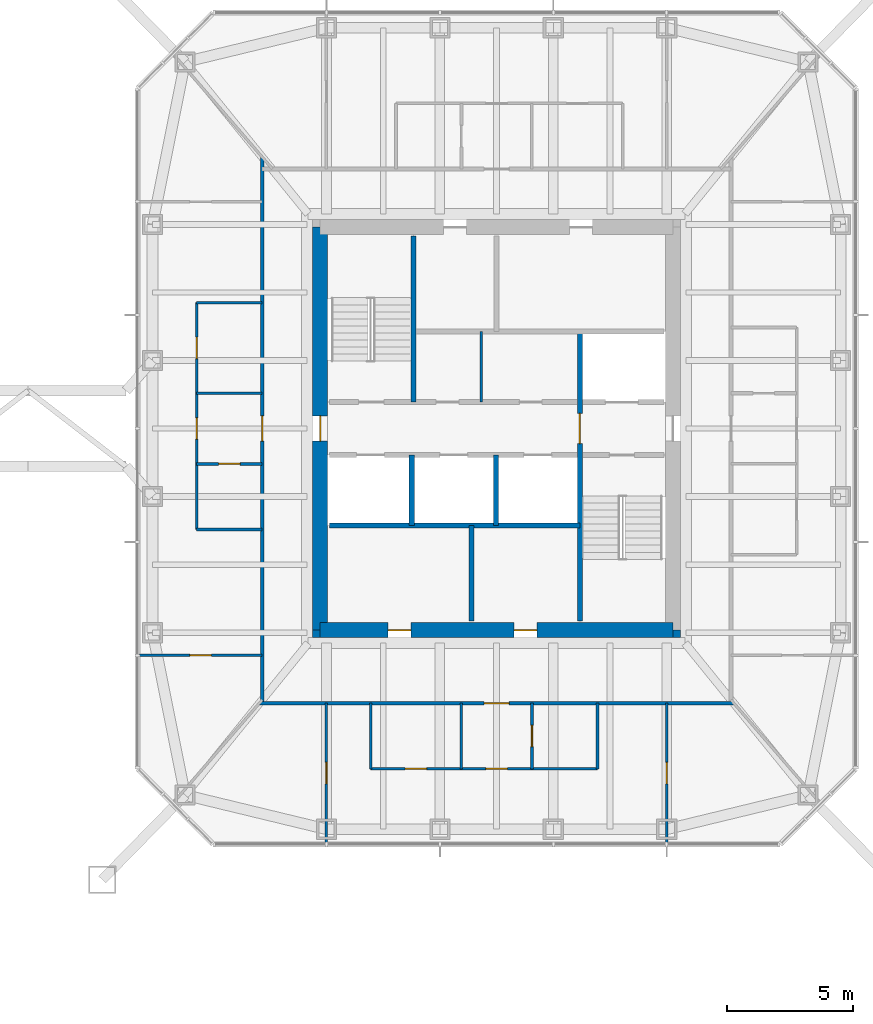
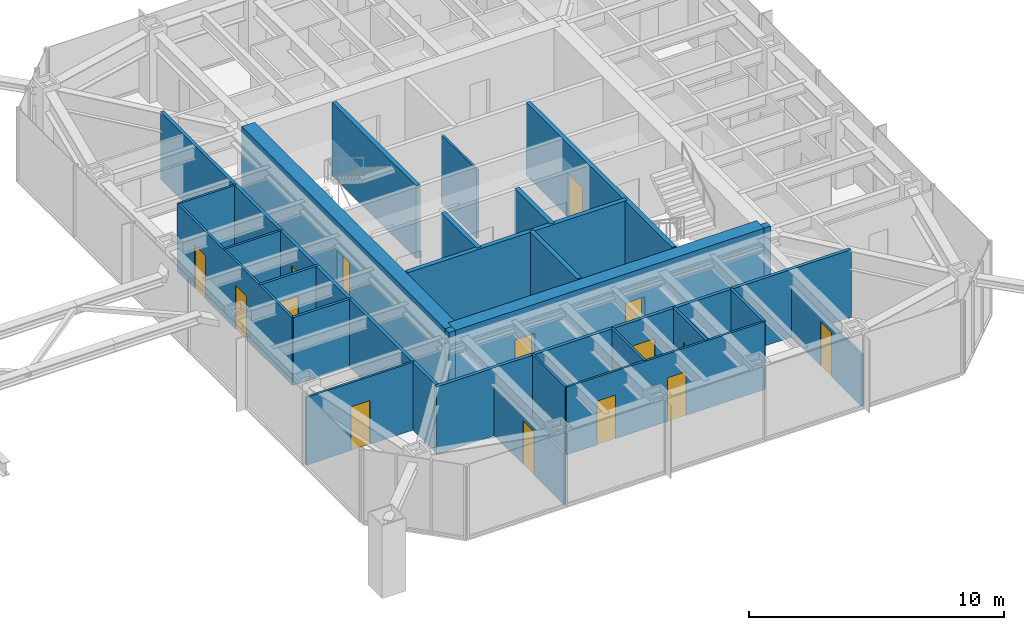
# One storey, part 18 of 26: 26 walls, 15 doors, 15 openings.
"""IFC4 building model written with IfcOpenShell, lengths in metres."""

from ifc_helpers import new_model, si_unit, direction, frame, frame_2d, origin, place, context, subcontext, project, spatial, rectangle, extrude, material, layer, layer_set, type_object, element, fill, save


model = new_model("IFC4")

# Units and contexts
model_context = context("Model", 3, precision=1e-05, world=origin(), true_north=direction((0.0, 1.0)))
body_context = subcontext(model_context, "Body", "Model", "MODEL_VIEW")
ifc_project = project(units=[si_unit("LENGTHUNIT", "METRE"), si_unit("AREAUNIT", "SQUARE_METRE"), si_unit("VOLUMEUNIT", "CUBIC_METRE"), si_unit("PLANEANGLEUNIT", "RADIAN"), si_unit("MASSUNIT", "GRAM", prefix="KILO")], contexts=[model_context])

# Site, building, storey
site_placement = place(None, origin())
site = spatial("IfcSite", under=ifc_project, at=site_placement, CompositionType="ELEMENT")
building_placement = place(site_placement, origin())
building = spatial("IfcBuilding", under=site, at=building_placement, Name="Iwan Alto Co-Living Towers", CompositionType="ELEMENT")
storey_placement = place(building_placement, frame((0.0, 0.0, 126.0)))
storey = spatial("IfcBuildingStorey", under=building, at=storey_placement, Name="L34", CompositionType="ELEMENT", Elevation=126.0)

# Wall, opening, door
ifc_material_1 = material(Name="Gypsum board")
ifc_layer_1 = layer(ifc_material_1, 0.02490234375, Name="Board", Category="Finish")
ifc_material_2 = material(Name="Steel ASTM A1003 ST33H cold-formed studs", Category="steel")
ifc_layer_2 = layer(ifc_material_2, 0.10009765625, Name="Studs", Category="Framing")
ifc_layer_3 = layer(ifc_material_1, 0.02490234375, Name="Board", Category="Finish")
ifc_layer_set_1 = layer_set([ifc_layer_1, ifc_layer_2, ifc_layer_3], Name="CORRIDOR WALL 150")
wall_type_1 = type_object("IfcWallType", Name="CORRIDOR WALL 150", PredefinedType="PARTITIONING", material=ifc_layer_set_1)
wall_1_placement = place(storey_placement, frame((53.5859375, -10.89990234375, 0.0), z_axis=(0.0, 0.0, 1.0), x_axis=(1.0, 0.0, 0.0)))
wall_1 = element("IfcWall", 1, at=wall_1_placement, inside=storey, type_object=wall_type_1, Name="Partition L34", PredefinedType="PARTITIONING", context=body_context, shape_type="SweptSolid", body=[
    extrude(rectangle(XDim=18.828125, YDim=0.14990234375, at=frame_2d((9.4140625, 0.0))), origin(), (0.0, 0.0, 1.0), 3.25),
])
opening_1_placement = place(wall_1_placement, frame((8.9140625, 0.0, 0.0)))
opening_1 = element("IfcOpeningElement", 2, at=opening_1_placement, cuts=wall_1, Name="Opening D3", PredefinedType="OPENING", context=body_context, shape_type="SweptSolid", body=[
    extrude(rectangle(XDim=1.0, YDim=2.10009765625, at=frame_2d((0.5, 1.050048828125))), frame((0.0, 0.0849609375, 0.0), z_axis=(0.0, -1.0, 0.0), x_axis=(1.0, 0.0, 0.0)), (0.0, 0.0, 1.0), 0.169921875),
])
ifc_material_3 = material(Name="Steel frame with timber leaf", Category="steel")
door_type_1 = type_object("IfcDoorType", Name="FLAT ENTRANCE DOOR FD30S 1000X2100", OperationType="SINGLE_SWING_LEFT", PredefinedType="DOOR", material=ifc_material_3)
door_1_placement = place(opening_1_placement, frame((1.0, 0.0, 0.0), z_axis=(0.0, 0.0, 1.0), x_axis=(-1.0, 0.0, 0.0)))
door_1 = element("IfcDoor", 3, at=door_1_placement, inside=storey, type_object=door_type_1, Name="Apartment foyer door L34", OperationType="SINGLE_SWING_RIGHT", OverallHeight=2.10009765625, OverallWidth=1.0, PredefinedType="DOOR", context=body_context, shape_type="SweptSolid", body=[
    extrude(rectangle(XDim=1.0, YDim=2.10009765625, at=frame_2d((0.5, 1.050048828125))), frame((0.0, 0.02490234375, 0.0), z_axis=(0.0, -1.0, 0.0), x_axis=(1.0, 0.0, 0.0)), (0.0, 0.0, 1.0), 0.050048828125),
])
fill(opening_1, door_1)

wall_2_placement = place(storey_placement, frame((53.699951171875, -10.89990234375, 0.0), z_axis=(0.0, 0.0, 1.0), x_axis=(0.0, 1.0, 0.0)))
wall_2 = element("IfcWall", 4, at=wall_2_placement, inside=storey, type_object=wall_type_1, Name="Partition L34", PredefinedType="PARTITIONING", context=body_context, shape_type="SweptSolid", body=[
    extrude(rectangle(XDim=21.66796875, YDim=0.14990234375, at=frame_2d((10.833984375, 0.0))), origin(), (0.0, 0.0, 1.0), 3.25),
])
opening_2_placement = place(wall_2_placement, frame((10.39990234375, 0.0, 0.0)))
opening_2 = element("IfcOpeningElement", 5, at=opening_2_placement, cuts=wall_2, Name="Opening D3", PredefinedType="OPENING", context=body_context, shape_type="SweptSolid", body=[
    extrude(rectangle(XDim=1.0, YDim=2.10009765625, at=frame_2d((0.5, 1.050048828125))), frame((0.0, 0.0849609375, 0.0), z_axis=(0.0, -1.0, 0.0), x_axis=(1.0, 0.0, 0.0)), (0.0, 0.0, 1.0), 0.169921875),
])
door_2_placement = place(opening_2_placement, origin())
door_2 = element("IfcDoor", 6, at=door_2_placement, inside=storey, type_object=door_type_1, Name="Apartment foyer door L34", OperationType="SINGLE_SWING_LEFT", OverallHeight=2.10009765625, OverallWidth=1.0, PredefinedType="DOOR", context=body_context, shape_type="SweptSolid", body=[
    extrude(rectangle(XDim=1.0, YDim=2.10009765625, at=frame_2d((0.5, 1.050048828125))), frame((0.0, 0.02490234375, 0.0), z_axis=(0.0, -1.0, 0.0), x_axis=(1.0, 0.0, 0.0)), (0.0, 0.0, 1.0), 0.050048828125),
])
fill(opening_2, door_2)

# Wall, openings, doors
ifc_layer_4 = layer(ifc_material_1, 0.012451171875, Name="Board", Category="Finish")
ifc_layer_5 = layer(ifc_material_2, 0.074951171875, Name="Studs", Category="Framing")
ifc_layer_6 = layer(ifc_material_1, 0.012451171875, Name="Board", Category="Finish")
ifc_layer_set_2 = layer_set([ifc_layer_4, ifc_layer_5, ifc_layer_6], Name="PARTITION 100")
wall_type_2 = type_object("IfcWallType", Name="PARTITION 100", PredefinedType="PARTITIONING", material=ifc_layer_set_2)
wall_3_placement = place(storey_placement, frame((58.0, -13.5, 0.0), z_axis=(0.0, 0.0, 1.0), x_axis=(1.0, 0.0, 0.0)))
wall_3 = element("IfcWall", 7, at=wall_3_placement, inside=storey, type_object=wall_type_2, Name="Partition L34", PredefinedType="PARTITIONING", context=body_context, shape_type="SweptSolid", body=[
    extrude(rectangle(XDim=9.0, YDim=0.10009765625, at=frame_2d((4.5, 0.0))), origin(), (0.0, 0.0, 1.0), 3.25),
])
opening_3_placement = place(wall_3_placement, frame((1.375, 0.0, 0.0)))
opening_3 = element("IfcOpeningElement", 8, at=opening_3_placement, cuts=wall_3, Name="Opening D2", PredefinedType="OPENING", context=body_context, shape_type="SweptSolid", body=[
    extrude(rectangle(XDim=0.85009765625, YDim=2.10009765625, at=frame_2d((0.425048828125, 1.050048828125))), frame((0.0, 0.06005859375, 0.0), z_axis=(0.0, -1.0, 0.0), x_axis=(1.0, 0.0, 0.0)), (0.0, 0.0, 1.0), 0.1201171875),
])
opening_4_placement = place(wall_3_placement, frame((4.574951171875, 0.0, 0.0)))
opening_4 = element("IfcOpeningElement", 9, at=opening_4_placement, cuts=wall_3, Name="Opening D2", PredefinedType="OPENING", context=body_context, shape_type="SweptSolid", body=[
    extrude(rectangle(XDim=0.85009765625, YDim=2.10009765625, at=frame_2d((0.425048828125, 1.050048828125))), frame((0.0, 0.06005859375, 0.0), z_axis=(0.0, -1.0, 0.0), x_axis=(1.0, 0.0, 0.0)), (0.0, 0.0, 1.0), 0.1201171875),
])
ifc_material_4 = material(Name="Timber leaf in steel frame", Category="steel")
door_type_2 = type_object("IfcDoorType", Name="ROOM DOOR 850X2100", OperationType="SINGLE_SWING_LEFT", PredefinedType="DOOR", material=ifc_material_4)
door_3_placement = place(opening_3_placement, frame((0.85009765625, 0.0, 0.0), z_axis=(0.0, 0.0, 1.0), x_axis=(-1.0, 0.0, 0.0)))
door_3 = element("IfcDoor", 10, at=door_3_placement, inside=storey, type_object=door_type_2, Name="Kitchen door L34", OperationType="SINGLE_SWING_RIGHT", OverallHeight=2.10009765625, OverallWidth=0.85009765625, PredefinedType="DOOR", context=body_context, shape_type="SweptSolid", body=[
    extrude(rectangle(XDim=0.85009765625, YDim=2.10009765625, at=frame_2d((0.425048828125, 1.050048828125))), frame((0.0, 0.02490234375, 0.0), z_axis=(0.0, -1.0, 0.0), x_axis=(1.0, 0.0, 0.0)), (0.0, 0.0, 1.0), 0.050048828125),
])
fill(opening_3, door_3)
door_4_placement = place(opening_4_placement, frame((0.85009765625, 0.0, 0.0), z_axis=(0.0, 0.0, 1.0), x_axis=(-1.0, 0.0, 0.0)))
door_4 = element("IfcDoor", 11, at=door_4_placement, inside=storey, type_object=door_type_2, Name="Apartment foyer door L34", OperationType="SINGLE_SWING_RIGHT", OverallHeight=2.10009765625, OverallWidth=0.85009765625, PredefinedType="DOOR", context=body_context, shape_type="SweptSolid", body=[
    extrude(rectangle(XDim=0.85009765625, YDim=2.10009765625, at=frame_2d((0.425048828125, 1.050048828125))), frame((0.0, 0.02490234375, 0.0), z_axis=(0.0, -1.0, 0.0), x_axis=(1.0, 0.0, 0.0)), (0.0, 0.0, 1.0), 0.050048828125),
])
fill(opening_4, door_4)

# Wall, opening, door
wall_4_placement = place(storey_placement, frame((48.81005859375, -9.0, 0.0), z_axis=(0.0, 0.0, 1.0), x_axis=(1.0, 0.0, 0.0)))
wall_4 = element("IfcWall", 12, at=wall_4_placement, inside=storey, type_object=wall_type_2, Name="Partition L34", PredefinedType="PARTITIONING", context=body_context, shape_type="SweptSolid", body=[
    extrude(rectangle(XDim=4.889892578125, YDim=0.10009765625, at=frame_2d((2.44482421875, 0.0))), origin(), (0.0, 0.0, 1.0), 3.25),
])
opening_5_placement = place(wall_4_placement, frame((2.02001953125, 0.0, 0.0)))
opening_5 = element("IfcOpeningElement", 13, at=opening_5_placement, cuts=wall_4, Name="Opening D2", PredefinedType="OPENING", context=body_context, shape_type="SweptSolid", body=[
    extrude(rectangle(XDim=0.85009765625, YDim=2.10009765625, at=frame_2d((0.425048828125, 1.050048828125))), frame((0.0, 0.06005859375, 0.0), z_axis=(0.0, -1.0, 0.0), x_axis=(1.0, 0.0, 0.0)), (0.0, 0.0, 1.0), 0.1201171875),
])
door_5_placement = place(opening_5_placement, origin())
door_5 = element("IfcDoor", 14, at=door_5_placement, inside=storey, type_object=door_type_2, Name="Study door L34", OperationType="SINGLE_SWING_RIGHT", OverallHeight=2.10009765625, OverallWidth=0.85009765625, PredefinedType="DOOR", context=body_context, shape_type="SweptSolid", body=[
    extrude(rectangle(XDim=0.85009765625, YDim=2.10009765625, at=frame_2d((0.425048828125, 1.050048828125))), frame((0.0, 0.02490234375, 0.0), z_axis=(0.0, -1.0, 0.0), x_axis=(1.0, 0.0, 0.0)), (0.0, 0.0, 1.0), 0.050048828125),
])
fill(opening_5, door_5)

# Walls
for number, where, z_axis, x_axis, name in (
    (15, (51.10009765625, 1.39990234375, 0.0), (0.0, 0.0, 1.0), (1.0, 0.0, 0.0), "Partition L34"),
    (16, (51.10009765625, 5.0, 0.0), (0.0, 0.0, 1.0), (1.0, 0.0, 0.0), "Partition L34"),
):
    element("IfcWall", number, at=place(storey_placement, frame(where, z_axis=z_axis, x_axis=x_axis)), inside=storey, type_object=wall_type_2, Name=name, PredefinedType="PARTITIONING", context=body_context, shape_type="SweptSolid", body=[
        extrude(rectangle(XDim=2.599853515625, YDim=0.10009765625, at=frame_2d((1.2998046875, 0.0))), origin(), (0.0, 0.0, 1.0), 3.25),
    ])

# Wall, opening, door
wall_5_placement = place(storey_placement, frame((69.75, -16.43994140625, 0.0), z_axis=(0.0, 0.0, 1.0), x_axis=(0.0, 1.0, 0.0)))
wall_5 = element("IfcWall", 17, at=wall_5_placement, inside=storey, type_object=wall_type_2, Name="Partition L34", PredefinedType="PARTITIONING", context=body_context, shape_type="SweptSolid", body=[
    extrude(rectangle(XDim=5.5400390625, YDim=0.10009765625, at=frame_2d((2.77001953125, 0.0))), origin(), (0.0, 0.0, 1.0), 2.477783203125),
])
opening_6_placement = place(wall_5_placement, frame((2.344970703125, 0.0, 0.0)))
opening_6 = element("IfcOpeningElement", 18, at=opening_6_placement, cuts=wall_5, Name="Opening D2", PredefinedType="OPENING", context=body_context, shape_type="SweptSolid", body=[
    extrude(rectangle(XDim=0.85009765625, YDim=2.10009765625, at=frame_2d((0.425048828125, 1.050048828125))), frame((0.0, 0.06005859375, 0.0), z_axis=(0.0, -1.0, 0.0), x_axis=(1.0, 0.0, 0.0)), (0.0, 0.0, 1.0), 0.1201171875),
])
door_6_placement = place(opening_6_placement, origin())
door_6 = element("IfcDoor", 19, at=door_6_placement, inside=storey, type_object=door_type_2, Name="Bedroom door L34", OperationType="SINGLE_SWING_RIGHT", OverallHeight=2.10009765625, OverallWidth=0.85009765625, PredefinedType="DOOR", context=body_context, shape_type="SweptSolid", body=[
    extrude(rectangle(XDim=0.85009765625, YDim=2.10009765625, at=frame_2d((0.425048828125, 1.050048828125))), frame((0.0, 0.02490234375, 0.0), z_axis=(0.0, -1.0, 0.0), x_axis=(1.0, 0.0, 0.0)), (0.0, 0.0, 1.0), 0.050048828125),
])
fill(opening_6, door_6)

# Walls
wall_6_placement = place(storey_placement, frame((62.39990234375, 1.050048828125, 0.0), z_axis=(0.0, 0.0, 1.0), x_axis=(0.0, 1.0, 0.0)))
element("IfcWall", 20, at=wall_6_placement, inside=storey, type_object=wall_type_2, Name="Partition L34", PredefinedType="PARTITIONING", context=body_context, shape_type="SweptSolid", body=[
    extrude(rectangle(XDim=2.800048828125, YDim=0.10009765625, at=frame_2d((1.39990234375, 0.0))), origin(), (0.0, 0.0, 1.0), 3.300048828125),
])
for number, where, z_axis, x_axis, name in (
    (21, (61.60009765625, -13.5, 0.0), (0.0, 0.0, 1.0), (0.0, 1.0, 0.0), "Partition L34"),
    (22, (58.0, -13.5, 0.0), (0.0, 0.0, 1.0), (0.0, 1.0, 0.0), "Partition L34"),
):
    element("IfcWall", number, at=place(storey_placement, frame(where, z_axis=z_axis, x_axis=x_axis)), inside=storey, type_object=wall_type_2, Name=name, PredefinedType="PARTITIONING", context=body_context, shape_type="SweptSolid", body=[
        extrude(rectangle(XDim=2.60009765625, YDim=0.10009765625, at=frame_2d((1.300048828125, 0.0))), origin(), (0.0, 0.0, 1.0), 3.25),
    ])

# Wall, opening, door
wall_7_placement = place(storey_placement, frame((56.25, -16.43994140625, 0.0), z_axis=(0.0, 0.0, 1.0), x_axis=(0.0, 1.0, 0.0)))
wall_7 = element("IfcWall", 23, at=wall_7_placement, inside=storey, type_object=wall_type_2, Name="Partition L34", PredefinedType="PARTITIONING", context=body_context, shape_type="SweptSolid", body=[
    extrude(rectangle(XDim=5.5400390625, YDim=0.10009765625, at=frame_2d((2.77001953125, 0.0))), origin(), (0.0, 0.0, 1.0), 2.477783203125),
])
opening_7_placement = place(wall_7_placement, frame((2.344970703125, 0.0, 0.0)))
opening_7 = element("IfcOpeningElement", 24, at=opening_7_placement, cuts=wall_7, Name="Opening D2", PredefinedType="OPENING", context=body_context, shape_type="SweptSolid", body=[
    extrude(rectangle(XDim=0.85009765625, YDim=2.10009765625, at=frame_2d((0.425048828125, 1.050048828125))), frame((0.0, 0.06005859375, 0.0), z_axis=(0.0, -1.0, 0.0), x_axis=(1.0, 0.0, 0.0)), (0.0, 0.0, 1.0), 0.1201171875),
])
door_7_placement = place(opening_7_placement, frame((0.85009765625, 0.0, 0.0), z_axis=(0.0, 0.0, 1.0), x_axis=(-1.0, 0.0, 0.0)))
door_7 = element("IfcDoor", 25, at=door_7_placement, inside=storey, type_object=door_type_2, Name="Family room door L34", OperationType="SINGLE_SWING_LEFT", OverallHeight=2.10009765625, OverallWidth=0.85009765625, PredefinedType="DOOR", context=body_context, shape_type="SweptSolid", body=[
    extrude(rectangle(XDim=0.85009765625, YDim=2.10009765625, at=frame_2d((0.425048828125, 1.050048828125))), frame((0.0, 0.02490234375, 0.0), z_axis=(0.0, -1.0, 0.0), x_axis=(1.0, 0.0, 0.0)), (0.0, 0.0, 1.0), 0.050048828125),
])
fill(opening_7, door_7)

# Wall, openings, doors
wall_8_placement = place(storey_placement, frame((51.10009765625, -4.0, 0.0), z_axis=(0.0, 0.0, 1.0), x_axis=(0.0, 1.0, 0.0)))
wall_8 = element("IfcWall", 26, at=wall_8_placement, inside=storey, type_object=wall_type_2, Name="Partition L34", PredefinedType="PARTITIONING", context=body_context, shape_type="SweptSolid", body=[
    extrude(rectangle(XDim=9.0, YDim=0.10009765625, at=frame_2d((4.5, 0.0))), origin(), (0.0, 0.0, 1.0), 3.25),
])
opening_8_placement = place(wall_8_placement, frame((6.77490234375, 0.0, 0.0)))
opening_8 = element("IfcOpeningElement", 27, at=opening_8_placement, cuts=wall_8, Name="Opening D2", PredefinedType="OPENING", context=body_context, shape_type="SweptSolid", body=[
    extrude(rectangle(XDim=0.85009765625, YDim=2.10009765625, at=frame_2d((0.425048828125, 1.050048828125))), frame((0.0, 0.06005859375, 0.0), z_axis=(0.0, -1.0, 0.0), x_axis=(1.0, 0.0, 0.0)), (0.0, 0.0, 1.0), 0.1201171875),
])
opening_9_placement = place(wall_8_placement, frame((3.574951171875, 0.0, 0.0)))
opening_9 = element("IfcOpeningElement", 28, at=opening_9_placement, cuts=wall_8, Name="Opening D2", PredefinedType="OPENING", context=body_context, shape_type="SweptSolid", body=[
    extrude(rectangle(XDim=0.85009765625, YDim=2.10009765625, at=frame_2d((0.425048828125, 1.050048828125))), frame((0.0, 0.06005859375, 0.0), z_axis=(0.0, -1.0, 0.0), x_axis=(1.0, 0.0, 0.0)), (0.0, 0.0, 1.0), 0.1201171875),
])
door_8_placement = place(opening_8_placement, origin())
door_8 = element("IfcDoor", 29, at=door_8_placement, inside=storey, type_object=door_type_2, Name="Kitchen door L34", OperationType="SINGLE_SWING_RIGHT", OverallHeight=2.10009765625, OverallWidth=0.85009765625, PredefinedType="DOOR", context=body_context, shape_type="SweptSolid", body=[
    extrude(rectangle(XDim=0.85009765625, YDim=2.10009765625, at=frame_2d((0.425048828125, 1.050048828125))), frame((0.0, 0.02490234375, 0.0), z_axis=(0.0, -1.0, 0.0), x_axis=(1.0, 0.0, 0.0)), (0.0, 0.0, 1.0), 0.050048828125),
])
fill(opening_8, door_8)
door_9_placement = place(opening_9_placement, origin())
door_9 = element("IfcDoor", 30, at=door_9_placement, inside=storey, type_object=door_type_2, Name="Apartment foyer door L34", OperationType="SINGLE_SWING_LEFT", OverallHeight=2.10009765625, OverallWidth=0.85009765625, PredefinedType="DOOR", context=body_context, shape_type="SweptSolid", body=[
    extrude(rectangle(XDim=0.85009765625, YDim=2.10009765625, at=frame_2d((0.425048828125, 1.050048828125))), frame((0.0, 0.02490234375, 0.0), z_axis=(0.0, -1.0, 0.0), x_axis=(1.0, 0.0, 0.0)), (0.0, 0.0, 1.0), 0.050048828125),
])
fill(opening_9, door_9)

# Wall
ifc_material_5 = material(Name="Concrete f'c 70 MPa", Category="concrete")
ifc_layer_7 = layer(ifc_material_5, 0.199951171875)
ifc_layer_set_3 = layer_set([ifc_layer_7], Name="SHAFT WALL 200")
wall_type_3 = type_object("IfcWallType", Name="SHAFT WALL 200", PredefinedType="SOLIDWALL", material=ifc_layer_set_3)
wall_9_placement = place(storey_placement, frame((56.360107421875, -3.85009765625, 0.0), z_axis=(0.0, 0.0, 1.0), x_axis=(1.0, 0.0, 0.0)))
element("IfcWall", 31, at=wall_9_placement, inside=storey, type_object=wall_type_3, Name="Shaft wall L34", PredefinedType="SOLIDWALL", context=body_context, shape_type="SweptSolid", body=[
    extrude(rectangle(XDim=9.93994140625, YDim=0.199951171875, at=frame_2d((4.969970703125, 0.0))), origin(), (0.0, 0.0, 1.0), 3.5),
])

# Wall, opening, door
wall_10_placement = place(storey_placement, frame((66.300048828125, -7.639892578125, 0.0), z_axis=(0.0, 0.0, 1.0), x_axis=(0.0, 1.0, 0.0)))
wall_10 = element("IfcWall", 32, at=wall_10_placement, inside=storey, type_object=wall_type_3, Name="Shaft wall L34", PredefinedType="SOLIDWALL", context=body_context, shape_type="SweptSolid", body=[
    extrude(rectangle(XDim=11.489990234375, YDim=0.199951171875, at=frame_2d((5.7451171875, 0.0))), origin(), (0.0, 0.0, 1.0), 3.5),
])
opening_10_placement = place(wall_10_placement, frame((7.0400390625, 0.0, 0.0)))
opening_10 = element("IfcOpeningElement", 33, at=opening_10_placement, cuts=wall_10, Name="Opening D6", PredefinedType="OPENING", context=body_context, shape_type="SweptSolid", body=[
    extrude(rectangle(XDim=1.199951171875, YDim=2.10009765625, at=frame_2d((0.60009765625, 1.050048828125))), frame((0.0, 0.10986328125, 0.0), z_axis=(0.0, -1.0, 0.0), x_axis=(1.0, 0.0, 0.0)), (0.0, 0.0, 1.0), 0.219970703125),
])
ifc_material_6 = material(Name="Steel frame with timber leaf", Category="steel")
door_type_3 = type_object("IfcDoorType", Name="LOBBY DOOR FD120S 1200X2100", OperationType="SINGLE_SWING_LEFT", PredefinedType="DOOR", material=ifc_material_6)
door_10_placement = place(opening_10_placement, frame((1.199951171875, 0.0, 0.0), z_axis=(0.0, 0.0, 1.0), x_axis=(-1.0, 0.0, 0.0)))
door_10 = element("IfcDoor", 34, at=door_10_placement, inside=storey, type_object=door_type_3, Name="Firefighting lobby door L34", OperationType="SINGLE_SWING_RIGHT", OverallHeight=2.10009765625, OverallWidth=1.199951171875, PredefinedType="DOOR", context=body_context, shape_type="SweptSolid", body=[
    extrude(rectangle(XDim=1.199951171875, YDim=2.10009765625, at=frame_2d((0.60009765625, 1.050048828125))), frame((0.0, 0.02490234375, 0.0), z_axis=(0.0, -1.0, 0.0), x_axis=(1.0, 0.0, 0.0)), (0.0, 0.0, 1.0), 0.050048828125),
])
fill(opening_10, door_10)

# Walls
wall_11_placement = place(storey_placement, frame((62.967041015625, -3.85009765625, 0.0), z_axis=(0.0, 0.0, 1.0), x_axis=(0.0, 1.0, 0.0)))
element("IfcWall", 35, at=wall_11_placement, inside=storey, type_object=wall_type_3, Name="Shaft wall L34", PredefinedType="SOLIDWALL", context=body_context, shape_type="SweptSolid", body=[
    extrude(rectangle(XDim=2.800048828125, YDim=0.199951171875, at=frame_2d((1.39990234375, 0.0))), origin(), (0.0, 0.0, 1.0), 3.5),
])
wall_12_placement = place(storey_placement, frame((62.0, -7.639892578125, 0.0), z_axis=(0.0, 0.0, 1.0), x_axis=(0.0, 1.0, 0.0)))
element("IfcWall", 36, at=wall_12_placement, inside=storey, type_object=wall_type_3, Name="Shaft wall L34", PredefinedType="SOLIDWALL", context=body_context, shape_type="SweptSolid", body=[
    extrude(rectangle(XDim=3.789794921875, YDim=0.199951171875, at=frame_2d((1.89501953125, 0.0))), origin(), (0.0, 0.0, 1.0), 3.5),
])
wall_13_placement = place(storey_placement, frame((59.699951171875, 1.050048828125, 0.0), z_axis=(0.0, 0.0, 1.0), x_axis=(0.0, 1.0, 0.0)))
element("IfcWall", 37, at=wall_13_placement, inside=storey, type_object=wall_type_3, Name="Shaft wall L34", PredefinedType="SOLIDWALL", context=body_context, shape_type="SweptSolid", body=[
    extrude(rectangle(XDim=6.58984375, YDim=0.199951171875, at=frame_2d((3.294921875, 0.0))), origin(), (0.0, 0.0, 1.0), 3.5),
])
wall_14_placement = place(storey_placement, frame((59.633056640625, -3.85009765625, 0.0), z_axis=(0.0, 0.0, 1.0), x_axis=(0.0, 1.0, 0.0)))
element("IfcWall", 38, at=wall_14_placement, inside=storey, type_object=wall_type_3, Name="Shaft wall L34", PredefinedType="SOLIDWALL", context=body_context, shape_type="SweptSolid", body=[
    extrude(rectangle(XDim=2.800048828125, YDim=0.199951171875, at=frame_2d((1.39990234375, 0.0))), origin(), (0.0, 0.0, 1.0), 3.5),
])
ifc_material_7 = material(Name="Concrete f'c 70 MPa", Category="concrete")
ifc_layer_8 = layer(ifc_material_7, 0.300048828125)
ifc_layer_set_4 = layer_set([ifc_layer_8], Name="T2 CORE CORNER FILL 300")
wall_type_4 = type_object("IfcWallType", Name="T2 CORE CORNER FILL 300", PredefinedType="SOLIDWALL", material=ifc_layer_set_4)
for number, where, z_axis, x_axis, name in (
    (39, (55.699951171875, -8.14990234375, 0.0), (0.0, 0.0, 1.0), (1.0, 0.0, 0.0), "T2 core corner SW L34"),
    (40, (70.0, -8.14990234375, 0.0), (0.0, 0.0, 1.0), (1.0, 0.0, 0.0), "T2 core corner SE L34"),
):
    element("IfcWall", number, at=place(storey_placement, frame(where, z_axis=z_axis, x_axis=x_axis)), inside=storey, type_object=wall_type_4, Name=name, PredefinedType="SOLIDWALL", context=body_context, shape_type="SweptSolid", body=[
        extrude(rectangle(XDim=0.300048828125, YDim=0.300048828125, at=frame_2d((0.14990234375, 0.0))), origin(), (0.0, 0.0, 1.0), 3.5),
    ])

# Wall, openings, doors
ifc_material_8 = material(Name="Concrete f'c 70 MPa", Category="concrete")
ifc_layer_9 = layer(ifc_material_8, 0.60009765625)
ifc_layer_set_5 = layer_set([ifc_layer_9], Name="T2 CORE WALL 600")
wall_type_5 = type_object("IfcWallType", Name="T2 CORE WALL 600", PredefinedType="SHEAR", material=ifc_layer_set_5)
wall_15_placement = place(storey_placement, frame((56.0, -8.0, 0.0), z_axis=(0.0, 0.0, 1.0), x_axis=(1.0, 0.0, 0.0)))
wall_15 = element("IfcWall", 41, at=wall_15_placement, inside=storey, type_object=wall_type_5, Name="T2 core wall S L34", PredefinedType="SHEAR", context=body_context, shape_type="SweptSolid", body=[
    extrude(rectangle(XDim=14.0, YDim=0.60009765625, at=frame_2d((7.0, 0.0))), origin(), (0.0, 0.0, 1.0), 3.5),
])
opening_11_placement = place(wall_15_placement, frame((2.699951171875, 0.0, 0.0)))
opening_11 = element("IfcOpeningElement", 42, at=opening_11_placement, cuts=wall_15, Name="Opening D8", PredefinedType="OPENING", context=body_context, shape_type="SweptSolid", body=[
    extrude(rectangle(XDim=0.89990234375, YDim=2.10009765625, at=frame_2d((0.449951171875, 1.050048828125))), frame((0.0, 0.31005859375, 0.0), z_axis=(0.0, -1.0, 0.0), x_axis=(1.0, 0.0, 0.0)), (0.0, 0.0, 1.0), 0.6201171875),
])
opening_12_placement = place(wall_15_placement, frame((7.699951171875, 0.0, 0.0)))
opening_12 = element("IfcOpeningElement", 43, at=opening_12_placement, cuts=wall_15, Name="Opening D8", PredefinedType="OPENING", context=body_context, shape_type="SweptSolid", body=[
    extrude(rectangle(XDim=0.89990234375, YDim=2.10009765625, at=frame_2d((0.449951171875, 1.050048828125))), frame((0.0, 0.31005859375, 0.0), z_axis=(0.0, -1.0, 0.0), x_axis=(1.0, 0.0, 0.0)), (0.0, 0.0, 1.0), 0.6201171875),
])
ifc_material_9 = material(Name="Steel frame with timber leaf", Category="steel")
door_type_4 = type_object("IfcDoorType", Name="RISER DOOR FD120 900X2100", OperationType="SINGLE_SWING_LEFT", PredefinedType="DOOR", material=ifc_material_9)
door_11_placement = place(opening_11_placement, origin())
door_11 = element("IfcDoor", 44, at=door_11_placement, inside=storey, type_object=door_type_4, Name="Refuse room core door L34", OperationType="SINGLE_SWING_LEFT", OverallHeight=2.10009765625, OverallWidth=0.89990234375, PredefinedType="DOOR", context=body_context, shape_type="SweptSolid", body=[
    extrude(rectangle(XDim=0.89990234375, YDim=2.10009765625, at=frame_2d((0.449951171875, 1.050048828125))), frame((0.0, 0.02490234375, 0.0), z_axis=(0.0, -1.0, 0.0), x_axis=(1.0, 0.0, 0.0)), (0.0, 0.0, 1.0), 0.050048828125),
])
fill(opening_11, door_11)
door_12_placement = place(opening_12_placement, origin())
door_12 = element("IfcDoor", 45, at=door_12_placement, inside=storey, type_object=door_type_4, Name="Telecom riser core door L34", OperationType="SINGLE_SWING_LEFT", OverallHeight=2.10009765625, OverallWidth=0.89990234375, PredefinedType="DOOR", context=body_context, shape_type="SweptSolid", body=[
    extrude(rectangle(XDim=0.89990234375, YDim=2.10009765625, at=frame_2d((0.449951171875, 1.050048828125))), frame((0.0, 0.02490234375, 0.0), z_axis=(0.0, -1.0, 0.0), x_axis=(1.0, 0.0, 0.0)), (0.0, 0.0, 1.0), 0.050048828125),
])
fill(opening_12, door_12)

# Wall, opening, door
wall_16_placement = place(storey_placement, frame((56.0, 8.0, 0.0), z_axis=(0.0, 0.0, 1.0), x_axis=(0.0, -1.0, 0.0)))
wall_16 = element("IfcWall", 46, at=wall_16_placement, inside=storey, type_object=wall_type_5, Name="T2 core wall W L34", PredefinedType="SHEAR", context=body_context, shape_type="SweptSolid", body=[
    extrude(rectangle(XDim=16.0, YDim=0.60009765625, at=frame_2d((8.0, 0.0))), origin(), (0.0, 0.0, 1.0), 3.5),
])
opening_13_placement = place(wall_16_placement, frame((7.5, 0.0, 0.0)))
opening_13 = element("IfcOpeningElement", 47, at=opening_13_placement, cuts=wall_16, Name="Opening D7", PredefinedType="OPENING", context=body_context, shape_type="SweptSolid", body=[
    extrude(rectangle(XDim=1.0, YDim=2.10009765625, at=frame_2d((0.5, 1.050048828125))), frame((0.0, 0.31005859375, 0.0), z_axis=(0.0, -1.0, 0.0), x_axis=(1.0, 0.0, 0.0)), (0.0, 0.0, 1.0), 0.6201171875),
])
ifc_material_10 = material(Name="Steel frame with timber leaf", Category="steel")
door_type_5 = type_object("IfcDoorType", Name="CORE DOOR FD120S 1000X2100", OperationType="SINGLE_SWING_LEFT", PredefinedType="DOOR", material=ifc_material_10)
door_13_placement = place(opening_13_placement, origin())
door_13 = element("IfcDoor", 48, at=door_13_placement, inside=storey, type_object=door_type_5, Name="Lift lobby core door L34", OperationType="SINGLE_SWING_RIGHT", OverallHeight=2.10009765625, OverallWidth=1.0, PredefinedType="DOOR", context=body_context, shape_type="SweptSolid", body=[
    extrude(rectangle(XDim=1.0, YDim=2.10009765625, at=frame_2d((0.5, 1.050048828125))), frame((0.0, 0.02490234375, 0.0), z_axis=(0.0, -1.0, 0.0), x_axis=(1.0, 0.0, 0.0)), (0.0, 0.0, 1.0), 0.050048828125),
])
fill(opening_13, door_13)

# Wall
ifc_material_11 = material(Name="Cement board")
ifc_layer_10 = layer(ifc_material_11, 0.012451171875, Name="Board", Category="Finish")
ifc_layer_11 = layer(ifc_material_2, 0.094970703125, Name="Studs", Category="Framing")
ifc_layer_12 = layer(ifc_material_11, 0.012451171875, Name="Board", Category="Finish")
ifc_layer_set_6 = layer_set([ifc_layer_10, ifc_layer_11, ifc_layer_12], Name="WET AREA PARTITION 120")
wall_type_6 = type_object("IfcWallType", Name="WET AREA PARTITION 120", PredefinedType="PARTITIONING", material=ifc_layer_set_6)
wall_17_placement = place(storey_placement, frame((51.10009765625, -4.0, 0.0), z_axis=(0.0, 0.0, 1.0), x_axis=(1.0, 0.0, 0.0)))
element("IfcWall", 49, at=wall_17_placement, inside=storey, type_object=wall_type_6, Name="Partition L34", PredefinedType="PARTITIONING", context=body_context, shape_type="SweptSolid", body=[
    extrude(rectangle(XDim=2.599853515625, YDim=0.1201171875, at=frame_2d((1.2998046875, 0.0))), origin(), (0.0, 0.0, 1.0), 3.25),
])

# Wall, opening, door
wall_18_placement = place(storey_placement, frame((51.10009765625, -1.39990234375, 0.0), z_axis=(0.0, 0.0, 1.0), x_axis=(1.0, 0.0, 0.0)))
wall_18 = element("IfcWall", 50, at=wall_18_placement, inside=storey, type_object=wall_type_6, Name="Partition L34", PredefinedType="PARTITIONING", context=body_context, shape_type="SweptSolid", body=[
    extrude(rectangle(XDim=2.599853515625, YDim=0.1201171875, at=frame_2d((1.2998046875, 0.0))), origin(), (0.0, 0.0, 1.0), 3.25),
])
opening_14_placement = place(wall_18_placement, frame((0.875, 0.0, 0.0)))
opening_14 = element("IfcOpeningElement", 51, at=opening_14_placement, cuts=wall_18, Name="Opening D2", PredefinedType="OPENING", context=body_context, shape_type="SweptSolid", body=[
    extrude(rectangle(XDim=0.85009765625, YDim=2.10009765625, at=frame_2d((0.425048828125, 1.050048828125))), frame((0.0, 0.070068359375, 0.0), z_axis=(0.0, -1.0, 0.0), x_axis=(1.0, 0.0, 0.0)), (0.0, 0.0, 1.0), 0.14013671875),
])
door_14_placement = place(opening_14_placement, frame((0.85009765625, 0.0, 0.0), z_axis=(0.0, 0.0, 1.0), x_axis=(-1.0, 0.0, 0.0)))
door_14 = element("IfcDoor", 52, at=door_14_placement, inside=storey, type_object=door_type_2, Name="Bathroom door L34", OperationType="SINGLE_SWING_RIGHT", OverallHeight=2.10009765625, OverallWidth=0.85009765625, PredefinedType="DOOR", context=body_context, shape_type="SweptSolid", body=[
    extrude(rectangle(XDim=0.85009765625, YDim=2.10009765625, at=frame_2d((0.425048828125, 1.050048828125))), frame((0.0, 0.02490234375, 0.0), z_axis=(0.0, -1.0, 0.0), x_axis=(1.0, 0.0, 0.0)), (0.0, 0.0, 1.0), 0.050048828125),
])
fill(opening_14, door_14)

# Wall
wall_19_placement = place(storey_placement, frame((67.0, -13.5, 0.0), z_axis=(0.0, 0.0, 1.0), x_axis=(0.0, 1.0, 0.0)))
element("IfcWall", 53, at=wall_19_placement, inside=storey, type_object=wall_type_6, Name="Partition L34", PredefinedType="PARTITIONING", context=body_context, shape_type="SweptSolid", body=[
    extrude(rectangle(XDim=2.60009765625, YDim=0.1201171875, at=frame_2d((1.300048828125, 0.0))), origin(), (0.0, 0.0, 1.0), 3.25),
])

# Wall, opening, door
wall_20_placement = place(storey_placement, frame((64.39990234375, -13.5, 0.0), z_axis=(0.0, 0.0, 1.0), x_axis=(0.0, 1.0, 0.0)))
wall_20 = element("IfcWall", 54, at=wall_20_placement, inside=storey, type_object=wall_type_6, Name="Partition L34", PredefinedType="PARTITIONING", context=body_context, shape_type="SweptSolid", body=[
    extrude(rectangle(XDim=2.60009765625, YDim=0.1201171875, at=frame_2d((1.300048828125, 0.0))), origin(), (0.0, 0.0, 1.0), 3.25),
])
opening_15_placement = place(wall_20_placement, frame((0.875, 0.0, 0.0)))
opening_15 = element("IfcOpeningElement", 55, at=opening_15_placement, cuts=wall_20, Name="Opening D2", PredefinedType="OPENING", context=body_context, shape_type="SweptSolid", body=[
    extrude(rectangle(XDim=0.85009765625, YDim=2.10009765625, at=frame_2d((0.425048828125, 1.050048828125))), frame((0.0, 0.070068359375, 0.0), z_axis=(0.0, -1.0, 0.0), x_axis=(1.0, 0.0, 0.0)), (0.0, 0.0, 1.0), 0.14013671875),
])
door_15_placement = place(opening_15_placement, frame((0.85009765625, 0.0, 0.0), z_axis=(0.0, 0.0, 1.0), x_axis=(-1.0, 0.0, 0.0)))
door_15 = element("IfcDoor", 56, at=door_15_placement, inside=storey, type_object=door_type_2, Name="Bathroom door L34", OperationType="SINGLE_SWING_RIGHT", OverallHeight=2.10009765625, OverallWidth=0.85009765625, PredefinedType="DOOR", context=body_context, shape_type="SweptSolid", body=[
    extrude(rectangle(XDim=0.85009765625, YDim=2.10009765625, at=frame_2d((0.425048828125, 1.050048828125))), frame((0.0, 0.02490234375, 0.0), z_axis=(0.0, -1.0, 0.0), x_axis=(1.0, 0.0, 0.0)), (0.0, 0.0, 1.0), 0.050048828125),
])
fill(opening_15, door_15)

save(model, "model.ifc")
